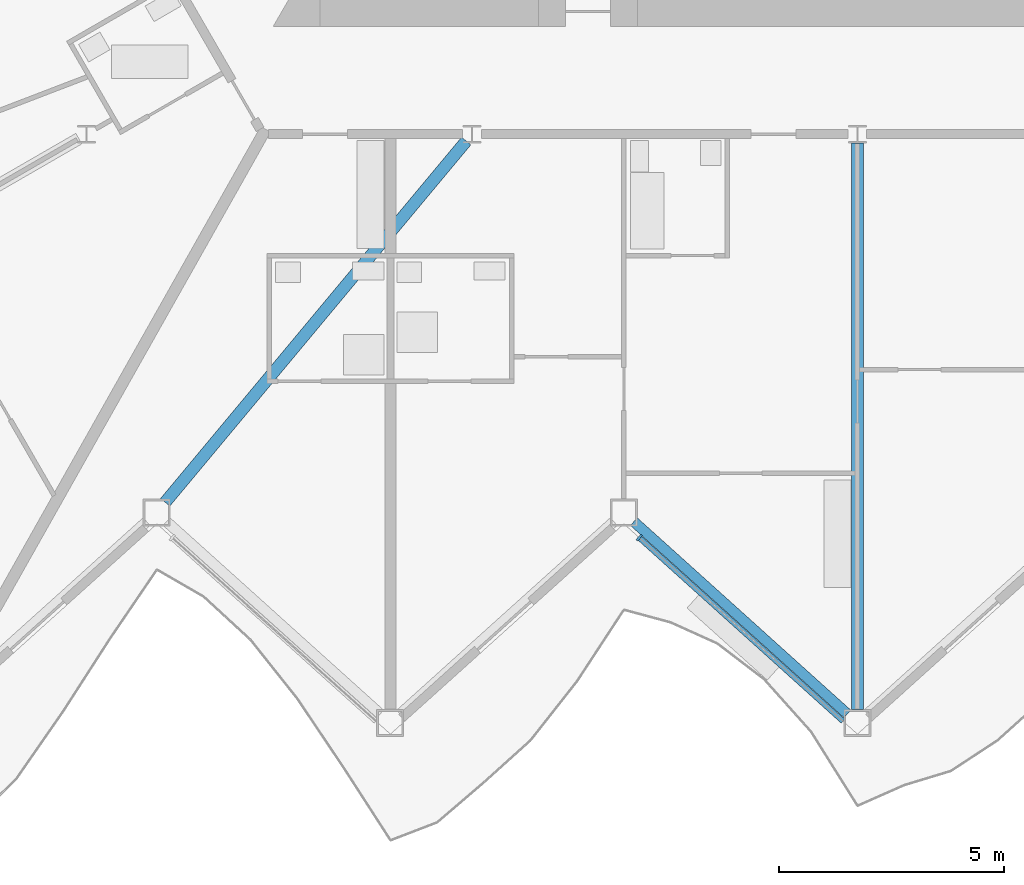
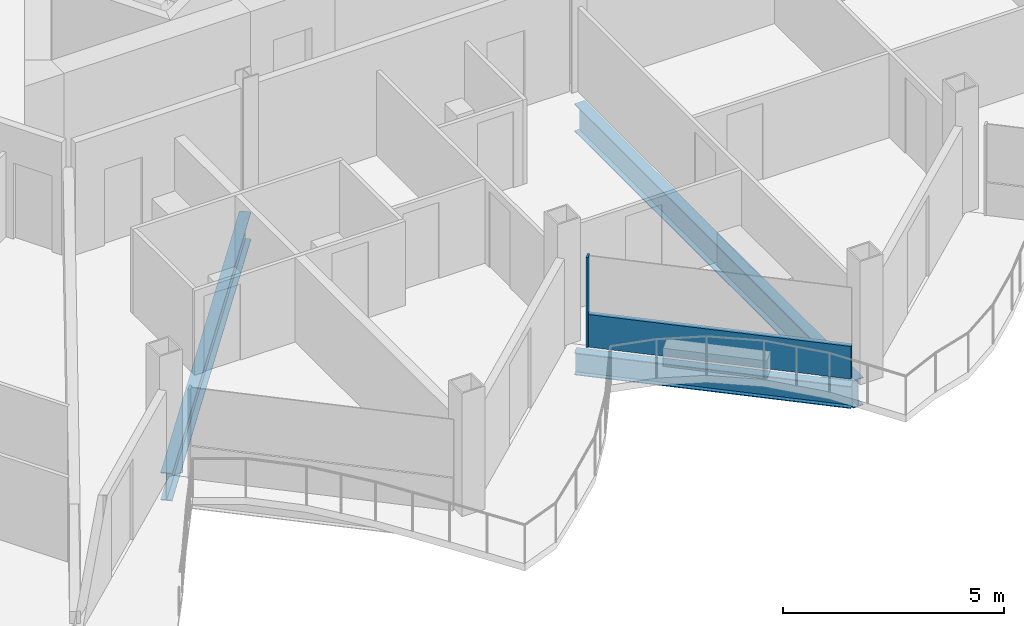
# One storey, part 5 of 27: 3 beams, 2 members, 1 element without a shape of its own.
"""IFC4 building model written with IfcOpenShell, lengths in metres."""

import ifcopenshell
import ifcopenshell.guid

model = None  # the IFC model being written
_history = None  # IfcOwnerHistory: only IFC2X3 demands one
_inside = {}  # id of a spatial element -> (the spatial element, [elements in it])
_under = {}  # id of a project, library or spatial element -> (it, [spatial elements below it])
_declared = {}  # id of a project -> (the project, [libraries it declares])
_typed = {}  # id of a type object -> (the type object, [elements of that type])
_made_of = {}  # id of a material, layer set ... -> (it, [elements and type objects made of it])


def new_model(schema):
    """Start an empty IFC model of exactly this schema.

    Asked for "IFC4X3", IfcOpenShell would pick the latest addendum, in which some entities
    have other attributes; the version numbers below select the first issue.
    IFC2X3 requires an IfcOwnerHistory on every rooted entity: one is made here for all.
    """
    global model, _history
    if schema == "IFC4X3":
        model = ifcopenshell.file(schema_version=(4, 3, 0, 0))
    else:
        model = ifcopenshell.file(schema=schema)
    _inside.clear()
    _under.clear()
    _declared.clear()
    _typed.clear()
    _made_of.clear()
    _history = None
    if model.schema == "IFC2X3":
        org = make("IfcOrganization", Name="unknown")
        user = make(
            "IfcPersonAndOrganization",
            ThePerson=make("IfcPerson", FamilyName="unknown"),
            TheOrganization=org,
        )
        app = make(
            "IfcApplication",
            ApplicationDeveloper=org,
            Version="unknown",
            ApplicationFullName="unknown",
            ApplicationIdentifier="unknown",
        )
        _history = make(
            "IfcOwnerHistory",
            OwningUser=user,
            OwningApplication=app,
            ChangeAction="ADDED",
            CreationDate=0,
        )
    return model


def make(cls, **values):
    """One entity of the class cls with the attributes given. An attribute that is None is left unset."""
    return model.create_entity(
        cls, **{name: value for name, value in values.items() if value is not None}
    )


def rooted(cls, **values):
    """An entity with a GlobalId (a new one), such as an element, a storey or a relation."""
    return make(cls, GlobalId=ifcopenshell.guid.new(), OwnerHistory=_history, **values)


def si_unit(unit_type, name, prefix=None):
    """IfcSIUnit, for example si_unit("LENGTHUNIT", "METRE", prefix="MILLI")."""
    return make("IfcSIUnit", UnitType=unit_type, Prefix=prefix, Name=name)


def assignment(units):
    """IfcUnitAssignment: the units of a project."""
    return None if units is None else make("IfcUnitAssignment", Units=units)


def point(xyz):
    """IfcCartesianPoint."""
    return None if xyz is None else make("IfcCartesianPoint", Coordinates=xyz)


def direction(xyz):
    """IfcDirection."""
    return None if xyz is None else make("IfcDirection", DirectionRatios=xyz)


def frame(location, z_axis=None, x_axis=None):
    """IfcAxis2Placement3D, a coordinate frame: its origin and axes. An axis left out is left unset."""
    return make(
        "IfcAxis2Placement3D",
        Location=point(location),
        Axis=direction(z_axis),
        RefDirection=direction(x_axis),
    )


def frame_2d(location, x_axis=None):
    """IfcAxis2Placement2D, a coordinate frame in the plane: its origin and x axis."""
    return make(
        "IfcAxis2Placement2D", Location=point(location), RefDirection=direction(x_axis)
    )


def origin():
    """The frame at (0, 0, 0) with its axes left unset."""
    return frame((0.0, 0.0, 0.0))


def origin_2d():
    """The frame at (0, 0) in the plane with its x axis left unset."""
    return frame_2d((0.0, 0.0))


def place(relative_to, where):
    """IfcLocalPlacement: puts the frame where relative to a parent placement (None: the world)."""
    return make(
        "IfcLocalPlacement", PlacementRelTo=relative_to, RelativePlacement=where
    )


def context(
    kind, dimensions, precision=None, world=None, true_north=None, identifier=None
):
    """IfcGeometricRepresentationContext, for example the 3D "Model" context."""
    return make(
        "IfcGeometricRepresentationContext",
        ContextIdentifier=identifier,
        ContextType=kind,
        CoordinateSpaceDimension=dimensions,
        Precision=precision,
        WorldCoordinateSystem=world,
        TrueNorth=true_north,
    )


def subcontext(parent, identifier, kind, view, scale=None):
    """IfcGeometricRepresentationSubContext, for example "Body" below "Model"."""
    return make(
        "IfcGeometricRepresentationSubContext",
        ContextIdentifier=identifier,
        ContextType=kind,
        ParentContext=parent,
        TargetScale=scale,
        TargetView=view,
    )


def project(units=None, contexts=None):
    """IfcProject with its units and contexts."""
    return rooted(
        "IfcProject",
        Name="project",
        RepresentationContexts=contexts,
        UnitsInContext=assignment(units),
    )


def spatial(cls, under=None, at=None, **own):
    """A site, building, storey or space (cls), placed at a placement, below another one or the project."""
    s = rooted(cls, ObjectPlacement=at, **own)
    if under is not None:
        _under.setdefault(under.id(), (under, []))[1].append(s)
    return s


def profile(cls, at=None, kind="AREA", **sizes):
    """A parametric profile (cls). Its sizes go by their IFC names, for example OverallWidth=200.0."""
    return make(cls, ProfileType=kind, Position=at, **sizes)


def rectangle(**sizes):
    """IfcRectangleProfileDef."""
    return profile("IfcRectangleProfileDef", **sizes)


def i_section(**sizes):
    """IfcIShapeProfileDef."""
    return profile("IfcIShapeProfileDef", **sizes)


def extrude(swept, where, along, depth):
    """IfcExtrudedAreaSolid: the profile swept, set in the frame where, extruded along a direction by depth."""
    return make(
        "IfcExtrudedAreaSolid",
        SweptArea=swept,
        Position=where,
        ExtrudedDirection=direction(along),
        Depth=depth,
    )


def shape(context_of_items, identifier, shape_type, items):
    """IfcShapeRepresentation: the items that make up one representation, for example the "Body"."""
    return make(
        "IfcShapeRepresentation",
        ContextOfItems=context_of_items,
        RepresentationIdentifier=identifier,
        RepresentationType=shape_type,
        Items=items,
    )


def material(Name=None, Category=None):
    """IfcMaterial."""
    return make("IfcMaterial", Name=Name, Category=Category)


def layer(
    of_material, thickness, ventilated=None, Name=None, Category=None, Priority=None
):
    """IfcMaterialLayer: one layer of a wall or slab, of a material (None: an air gap)."""
    return make(
        "IfcMaterialLayer",
        Material=of_material,
        LayerThickness=thickness,
        IsVentilated=ventilated,
        Name=Name,
        Category=Category,
        Priority=Priority,
    )


def layer_set(layers, Name=None):
    """IfcMaterialLayerSet."""
    return make("IfcMaterialLayerSet", MaterialLayers=layers, LayerSetName=Name)


def material_profile(
    of_material, cross_section, Name=None, Category=None, Priority=None
):
    """IfcMaterialProfile: a cross section and its material."""
    return make(
        "IfcMaterialProfile",
        Name=Name,
        Material=of_material,
        Profile=cross_section,
        Priority=Priority,
        Category=Category,
    )


def profile_set(profiles, Name=None, composite=None):
    """IfcMaterialProfileSet."""
    return make(
        "IfcMaterialProfileSet",
        Name=Name,
        MaterialProfiles=profiles,
        CompositeProfile=composite,
    )


def made_of(thing, what):
    """Note that an element or type object is made of a material, layer set ...; save() writes the relation."""
    if what is not None:
        _made_of.setdefault(what.id(), (what, []))[1].append(thing)
    return thing


def type_object(cls, material=None, **own):
    """A type object (cls), such as IfcWallType, which elements share."""
    return made_of(rooted(cls, **own), material)


def element(
    cls,
    number,
    at=None,
    inside=None,
    cuts=None,
    type_object=None,
    material=None,
    context=None,
    identifier="Body",
    shape_type=None,
    held_by="IfcProductDefinitionShape",
    body=None,
    shapes=None,
    **own,
):
    """One element of the class cls, such as IfcWall. Its Tag is "e" and its number.

    at: its placement. inside: the storey or other place that contains it. cuts: it is an
    opening in that element (IfcRelVoidsElement). A single representation is given by context,
    identifier, shape_type and body (its items); several are given by shapes. held_by: the class
    of the entity that holds the representations. save() writes the other relations.
    """
    e = rooted(cls, Tag="e%d" % number, ObjectPlacement=at, **own)
    if body is not None:
        shapes = [shape(context, identifier, shape_type, body)]
    if shapes is not None:
        e.Representation = make(held_by, Representations=shapes)
    if inside is not None:
        _inside.setdefault(inside.id(), (inside, []))[1].append(e)
    if cuts is not None:
        rooted(
            "IfcRelVoidsElement", RelatingBuildingElement=cuts, RelatedOpeningElement=e
        )
    if type_object is not None:
        _typed.setdefault(type_object.id(), (type_object, []))[1].append(e)
    return made_of(e, material)


def aggregate(whole, parts):
    """IfcRelAggregates: a whole, such as a stair, and the parts it consists of."""
    return rooted("IfcRelAggregates", RelatingObject=whole, RelatedObjects=parts)


def save(model, path):
    """Write the relations noted so far, then the file.

    IfcRelAggregates (storeys below a building ...), IfcRelContainedInSpatialStructure (elements
    in a storey), IfcRelDefinesByType, IfcRelAssociatesMaterial and IfcRelDeclares: one each for
    every whole, place, type object, material and project.
    """
    for whole, parts in _under.values():
        aggregate(whole, parts)
    for where, things in _inside.values():
        rooted(
            "IfcRelContainedInSpatialStructure",
            RelatedElements=things,
            RelatingStructure=where,
        )
    for kind, things in _typed.values():
        rooted("IfcRelDefinesByType", RelatedObjects=things, RelatingType=kind)
    for what, things in _made_of.values():
        rooted("IfcRelAssociatesMaterial", RelatedObjects=things, RelatingMaterial=what)
    for by, libraries in _declared.values():
        rooted("IfcRelDeclares", RelatingContext=by, RelatedDefinitions=libraries)
    model.write(path)


model = new_model("IFC4")

# Units and contexts
model_context = context("Model", 3, precision=1e-05, world=origin(), true_north=direction((0.0, 1.0)))
body_context = subcontext(model_context, "Body", "Model", "MODEL_VIEW")
ifc_project = project(units=[si_unit("LENGTHUNIT", "METRE"), si_unit("AREAUNIT", "SQUARE_METRE"), si_unit("VOLUMEUNIT", "CUBIC_METRE"), si_unit("PLANEANGLEUNIT", "RADIAN"), si_unit("MASSUNIT", "GRAM", prefix="KILO")], contexts=[model_context])

# Site, building, storey
site_placement = place(None, origin())
site = spatial("IfcSite", under=ifc_project, at=site_placement, CompositionType="ELEMENT")
building_placement = place(site_placement, origin())
building = spatial("IfcBuilding", under=site, at=building_placement, Name="Cormorant Prow Tower", CompositionType="ELEMENT")
storey_placement = place(building_placement, frame((0.0, 0.0, 332.39990234375)))
storey = spatial("IfcBuildingStorey", under=building, at=storey_placement, Name="L74", CompositionType="ELEMENT", Elevation=332.39990234375)

# Beams
ifc_material_1 = material(Name="Structural steel ASTM A992 Gr 50", Category="steel")
ifc_material_profile_1 = material_profile(ifc_material_1, i_section(OverallWidth=0.267822265625, OverallDepth=0.77001953125, WebThickness=0.015625, FlangeThickness=0.025390625, at=origin_2d()), Name="W30x132")
ifc_profile_set_1 = profile_set([ifc_material_profile_1], Name="Structural steel ASTM A992 Gr 50")
beam_type_1 = type_object("IfcBeamType", Name="Radial floor beam W30x132", PredefinedType="BEAM", material=ifc_profile_set_1)
beam_1_placement = place(storey_placement, frame((-8.705078125, -10.057373046875, -0.684814453125), z_axis=(-0.640239469619, -0.768175384624, 0.0), x_axis=(0.768175384624, -0.640239469619, 0.0)))
element("IfcBeam", 1, at=beam_1_placement, inside=storey, type_object=beam_type_1, Name="Radial floor beam FB3 6 L74", PredefinedType="BEAM", context=body_context, shape_type="SweptSolid", body=[
    extrude(i_section(OverallWidth=0.267822265625, OverallDepth=0.77001953125, WebThickness=0.015625, FlangeThickness=0.025390625, at=origin_2d()), origin(), (0.0, 0.0, 1.0), 10.465087890625),
])
beam_2_placement = place(storey_placement, frame((0.0, -10.103271484375, -0.684814453125), z_axis=(0.0, -1.0, 0.0), x_axis=(1.0, 0.0, 0.0)))
element("IfcBeam", 2, at=beam_2_placement, inside=storey, type_object=beam_type_1, Name="Radial floor beam FB3 7 L74", PredefinedType="BEAM", context=body_context, shape_type="SweptSolid", body=[
    extrude(i_section(OverallWidth=0.267822265625, OverallDepth=0.77001953125, WebThickness=0.015625, FlangeThickness=0.025390625, at=origin_2d()), origin(), (0.0, 0.0, 1.0), 12.604736328125),
])

# Curtain wall, members
ifc_material_2 = material(Name="Aluminium 6063-T6", Category="aluminium")
ifc_layer = layer(ifc_material_2, 0.159912109375)
ifc_layer_set = layer_set([ifc_layer], Name="Aluminium 6063-T6")
curtain_wall_type = type_object("IfcCurtainWallType", Name="Residential unitised curtain wall 160", PredefinedType="NOTDEFINED", material=ifc_layer_set)
curtain_wall_placement = place(storey_placement, origin())
curtain_wall = element("IfcCurtainWall", 3, at=curtain_wall_placement, inside=storey, type_object=curtain_wall_type, Name="Residential curtain wall S04", PredefinedType="NOTDEFINED")
ifc_material_3 = material(Name="Aluminium 6063-T6", Category="aluminium")
ifc_material_profile_2 = material_profile(ifc_material_3, rectangle(XDim=0.159912109375, YDim=0.050048828125, at=origin_2d()), Name="Residential mullion 50x160")
ifc_profile_set_2 = profile_set([ifc_material_profile_2], Name="Aluminium 6063-T6")
member_type_1 = type_object("IfcMemberType", Name="Residential mullion 50x160", PredefinedType="MULLION", material=ifc_profile_set_2)
member_1_placement = place(storey_placement, frame((-4.855224609375, -18.885009765625, 0.0), z_axis=(0.0, 0.0, 1.0), x_axis=(0.669130588628, 0.743144841442, 0.0)))
member_1 = element("IfcMember", 4, at=member_1_placement, type_object=member_type_1, Name="Residential mullion S04", PredefinedType="MULLION", context=body_context, shape_type="SweptSolid", body=[
    extrude(rectangle(XDim=0.159912109375, YDim=0.050048828125, at=origin_2d()), origin(), (0.0, 0.0, 1.0), 2.488037109375),
])
ifc_material_4 = material(Name="Terracotta", Category="masonry")
ifc_material_profile_3 = material_profile(ifc_material_4, rectangle(XDim=0.1201171875, YDim=0.89990234375, at=origin_2d()), Name="Residential terracotta spandrel rail 120x900")
ifc_profile_set_3 = profile_set([ifc_material_profile_3], Name="Terracotta")
member_type_2 = type_object("IfcMemberType", Name="Residential terracotta spandrel rail 120x900", PredefinedType="USERDEFINED", material=ifc_profile_set_3)
member_2_placement = place(storey_placement, frame((-4.836669921875, -18.901611328125, 0.4501953125), z_axis=(0.743154234406, -0.669120156538, 0.0), x_axis=(0.669120156538, 0.743154234406, 0.0)))
member_2 = element("IfcMember", 5, at=member_2_placement, type_object=member_type_2, Name="Residential spandrel rail S04", ObjectType="TRANSOM", PredefinedType="USERDEFINED", context=body_context, shape_type="SweptSolid", body=[
    extrude(rectangle(XDim=0.1201171875, YDim=0.89990234375, at=origin_2d()), origin(), (0.0, 0.0, 1.0), 6.07421875),
])
aggregate(curtain_wall, [member_1, member_2])

# Beam
ifc_material_5 = material(Name="Structural steel ASTM A992 Gr 50", Category="steel")
ifc_material_profile_4 = material_profile(ifc_material_5, i_section(OverallWidth=0.22900390625, OverallDepth=0.612060546875, WebThickness=0.011962890625, FlangeThickness=0.01953125, at=origin_2d()), Name="W24x84")
ifc_profile_set_4 = profile_set([ifc_material_profile_4], Name="Structural steel ASTM A992 Gr 50")
beam_type_2 = type_object("IfcBeamType", Name="Spandrel beam W24x84", PredefinedType="SPANDREL", material=ifc_profile_set_4)
beam_3_placement = place(storey_placement, frame((-4.97607421875, -18.527587890625, -0.60595703125), z_axis=(0.743144186555, -0.669131315954, 0.0), x_axis=(0.669131315954, 0.743144186555, 0.0)))
element("IfcBeam", 6, at=beam_3_placement, inside=storey, type_object=beam_type_2, Name="Spandrel beam SB3 S04-S05 L74", PredefinedType="SPANDREL", context=body_context, shape_type="SweptSolid", body=[
    extrude(i_section(OverallWidth=0.22900390625, OverallDepth=0.612060546875, WebThickness=0.011962890625, FlangeThickness=0.01953125, at=origin_2d()), origin(), (0.0, 0.0, 1.0), 6.39599609375),
])

save(model, "model.ifc")
